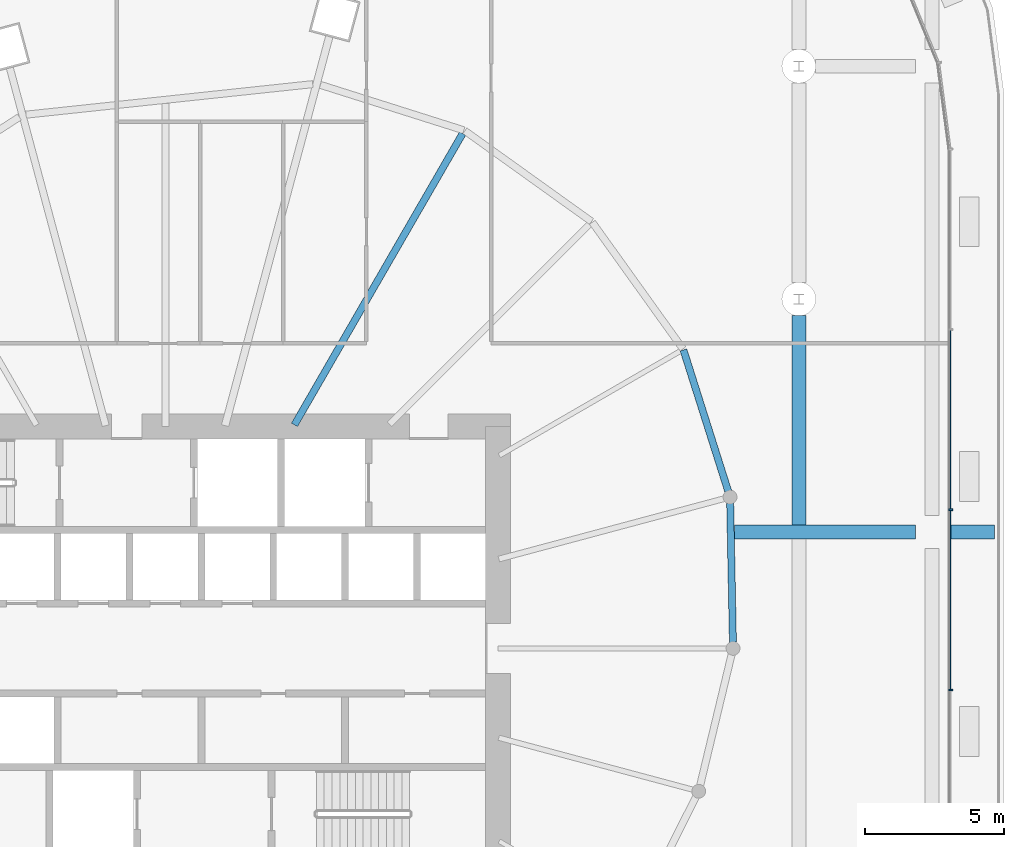
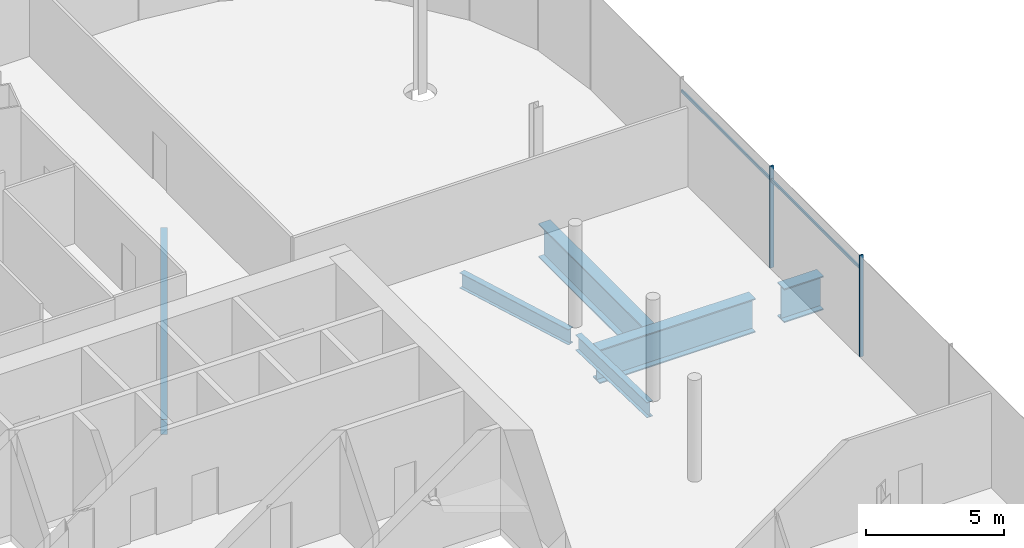
# One storey, part 27 of 56: 6 beams, 4 members, 1 element without a shape of its own.
"""IFC4 building model written with IfcOpenShell, lengths in metres."""

import ifcopenshell
import ifcopenshell.guid

model = None  # the IFC model being written
_history = None  # IfcOwnerHistory: only IFC2X3 demands one
_inside = {}  # id of a spatial element -> (the spatial element, [elements in it])
_under = {}  # id of a project, library or spatial element -> (it, [spatial elements below it])
_declared = {}  # id of a project -> (the project, [libraries it declares])
_typed = {}  # id of a type object -> (the type object, [elements of that type])
_made_of = {}  # id of a material, layer set ... -> (it, [elements and type objects made of it])


def new_model(schema):
    """Start an empty IFC model of exactly this schema.

    Asked for "IFC4X3", IfcOpenShell would pick the latest addendum, in which some entities
    have other attributes; the version numbers below select the first issue.
    IFC2X3 requires an IfcOwnerHistory on every rooted entity: one is made here for all.
    """
    global model, _history
    if schema == "IFC4X3":
        model = ifcopenshell.file(schema_version=(4, 3, 0, 0))
    else:
        model = ifcopenshell.file(schema=schema)
    _inside.clear()
    _under.clear()
    _declared.clear()
    _typed.clear()
    _made_of.clear()
    _history = None
    if model.schema == "IFC2X3":
        org = make("IfcOrganization", Name="unknown")
        user = make(
            "IfcPersonAndOrganization",
            ThePerson=make("IfcPerson", FamilyName="unknown"),
            TheOrganization=org,
        )
        app = make(
            "IfcApplication",
            ApplicationDeveloper=org,
            Version="unknown",
            ApplicationFullName="unknown",
            ApplicationIdentifier="unknown",
        )
        _history = make(
            "IfcOwnerHistory",
            OwningUser=user,
            OwningApplication=app,
            ChangeAction="ADDED",
            CreationDate=0,
        )
    return model


def make(cls, **values):
    """One entity of the class cls with the attributes given. An attribute that is None is left unset."""
    return model.create_entity(
        cls, **{name: value for name, value in values.items() if value is not None}
    )


def rooted(cls, **values):
    """An entity with a GlobalId (a new one), such as an element, a storey or a relation."""
    return make(cls, GlobalId=ifcopenshell.guid.new(), OwnerHistory=_history, **values)


def si_unit(unit_type, name, prefix=None):
    """IfcSIUnit, for example si_unit("LENGTHUNIT", "METRE", prefix="MILLI")."""
    return make("IfcSIUnit", UnitType=unit_type, Prefix=prefix, Name=name)


def assignment(units):
    """IfcUnitAssignment: the units of a project."""
    return None if units is None else make("IfcUnitAssignment", Units=units)


def point(xyz):
    """IfcCartesianPoint."""
    return None if xyz is None else make("IfcCartesianPoint", Coordinates=xyz)


def direction(xyz):
    """IfcDirection."""
    return None if xyz is None else make("IfcDirection", DirectionRatios=xyz)


def frame(location, z_axis=None, x_axis=None):
    """IfcAxis2Placement3D, a coordinate frame: its origin and axes. An axis left out is left unset."""
    return make(
        "IfcAxis2Placement3D",
        Location=point(location),
        Axis=direction(z_axis),
        RefDirection=direction(x_axis),
    )


def frame_2d(location, x_axis=None):
    """IfcAxis2Placement2D, a coordinate frame in the plane: its origin and x axis."""
    return make(
        "IfcAxis2Placement2D", Location=point(location), RefDirection=direction(x_axis)
    )


def origin():
    """The frame at (0, 0, 0) with its axes left unset."""
    return frame((0.0, 0.0, 0.0))


def origin_2d():
    """The frame at (0, 0) in the plane with its x axis left unset."""
    return frame_2d((0.0, 0.0))


def place(relative_to, where):
    """IfcLocalPlacement: puts the frame where relative to a parent placement (None: the world)."""
    return make(
        "IfcLocalPlacement", PlacementRelTo=relative_to, RelativePlacement=where
    )


def context(
    kind, dimensions, precision=None, world=None, true_north=None, identifier=None
):
    """IfcGeometricRepresentationContext, for example the 3D "Model" context."""
    return make(
        "IfcGeometricRepresentationContext",
        ContextIdentifier=identifier,
        ContextType=kind,
        CoordinateSpaceDimension=dimensions,
        Precision=precision,
        WorldCoordinateSystem=world,
        TrueNorth=true_north,
    )


def subcontext(parent, identifier, kind, view, scale=None):
    """IfcGeometricRepresentationSubContext, for example "Body" below "Model"."""
    return make(
        "IfcGeometricRepresentationSubContext",
        ContextIdentifier=identifier,
        ContextType=kind,
        ParentContext=parent,
        TargetScale=scale,
        TargetView=view,
    )


def project(units=None, contexts=None):
    """IfcProject with its units and contexts."""
    return rooted(
        "IfcProject",
        Name="project",
        RepresentationContexts=contexts,
        UnitsInContext=assignment(units),
    )


def spatial(cls, under=None, at=None, **own):
    """A site, building, storey or space (cls), placed at a placement, below another one or the project."""
    s = rooted(cls, ObjectPlacement=at, **own)
    if under is not None:
        _under.setdefault(under.id(), (under, []))[1].append(s)
    return s


def profile(cls, at=None, kind="AREA", **sizes):
    """A parametric profile (cls). Its sizes go by their IFC names, for example OverallWidth=200.0."""
    return make(cls, ProfileType=kind, Position=at, **sizes)


def rectangle(**sizes):
    """IfcRectangleProfileDef."""
    return profile("IfcRectangleProfileDef", **sizes)


def i_section(**sizes):
    """IfcIShapeProfileDef."""
    return profile("IfcIShapeProfileDef", **sizes)


def extrude(swept, where, along, depth):
    """IfcExtrudedAreaSolid: the profile swept, set in the frame where, extruded along a direction by depth."""
    return make(
        "IfcExtrudedAreaSolid",
        SweptArea=swept,
        Position=where,
        ExtrudedDirection=direction(along),
        Depth=depth,
    )


def shape(context_of_items, identifier, shape_type, items):
    """IfcShapeRepresentation: the items that make up one representation, for example the "Body"."""
    return make(
        "IfcShapeRepresentation",
        ContextOfItems=context_of_items,
        RepresentationIdentifier=identifier,
        RepresentationType=shape_type,
        Items=items,
    )


def material(Name=None, Category=None):
    """IfcMaterial."""
    return make("IfcMaterial", Name=Name, Category=Category)


def material_profile(
    of_material, cross_section, Name=None, Category=None, Priority=None
):
    """IfcMaterialProfile: a cross section and its material."""
    return make(
        "IfcMaterialProfile",
        Name=Name,
        Material=of_material,
        Profile=cross_section,
        Priority=Priority,
        Category=Category,
    )


def profile_set(profiles, Name=None, composite=None):
    """IfcMaterialProfileSet."""
    return make(
        "IfcMaterialProfileSet",
        Name=Name,
        MaterialProfiles=profiles,
        CompositeProfile=composite,
    )


def made_of(thing, what):
    """Note that an element or type object is made of a material, layer set ...; save() writes the relation."""
    if what is not None:
        _made_of.setdefault(what.id(), (what, []))[1].append(thing)
    return thing


def type_object(cls, material=None, **own):
    """A type object (cls), such as IfcWallType, which elements share."""
    return made_of(rooted(cls, **own), material)


def element(
    cls,
    number,
    at=None,
    inside=None,
    cuts=None,
    type_object=None,
    material=None,
    context=None,
    identifier="Body",
    shape_type=None,
    held_by="IfcProductDefinitionShape",
    body=None,
    shapes=None,
    **own,
):
    """One element of the class cls, such as IfcWall. Its Tag is "e" and its number.

    at: its placement. inside: the storey or other place that contains it. cuts: it is an
    opening in that element (IfcRelVoidsElement). A single representation is given by context,
    identifier, shape_type and body (its items); several are given by shapes. held_by: the class
    of the entity that holds the representations. save() writes the other relations.
    """
    e = rooted(cls, Tag="e%d" % number, ObjectPlacement=at, **own)
    if body is not None:
        shapes = [shape(context, identifier, shape_type, body)]
    if shapes is not None:
        e.Representation = make(held_by, Representations=shapes)
    if inside is not None:
        _inside.setdefault(inside.id(), (inside, []))[1].append(e)
    if cuts is not None:
        rooted(
            "IfcRelVoidsElement", RelatingBuildingElement=cuts, RelatedOpeningElement=e
        )
    if type_object is not None:
        _typed.setdefault(type_object.id(), (type_object, []))[1].append(e)
    return made_of(e, material)


def aggregate(whole, parts):
    """IfcRelAggregates: a whole, such as a stair, and the parts it consists of."""
    return rooted("IfcRelAggregates", RelatingObject=whole, RelatedObjects=parts)


def save(model, path):
    """Write the relations noted so far, then the file.

    IfcRelAggregates (storeys below a building ...), IfcRelContainedInSpatialStructure (elements
    in a storey), IfcRelDefinesByType, IfcRelAssociatesMaterial and IfcRelDeclares: one each for
    every whole, place, type object, material and project.
    """
    for whole, parts in _under.values():
        aggregate(whole, parts)
    for where, things in _inside.values():
        rooted(
            "IfcRelContainedInSpatialStructure",
            RelatedElements=things,
            RelatingStructure=where,
        )
    for kind, things in _typed.values():
        rooted("IfcRelDefinesByType", RelatedObjects=things, RelatingType=kind)
    for what, things in _made_of.values():
        rooted("IfcRelAssociatesMaterial", RelatedObjects=things, RelatingMaterial=what)
    for by, libraries in _declared.values():
        rooted("IfcRelDeclares", RelatingContext=by, RelatedDefinitions=libraries)
    model.write(path)


model = new_model("IFC4")

# Units and contexts
model_context = context("Model", 3, precision=1e-05, world=origin(), true_north=direction((0.0, 1.0)))
body_context = subcontext(model_context, "Body", "Model", "MODEL_VIEW")
ifc_project = project(units=[si_unit("LENGTHUNIT", "METRE"), si_unit("AREAUNIT", "SQUARE_METRE"), si_unit("VOLUMEUNIT", "CUBIC_METRE"), si_unit("PLANEANGLEUNIT", "RADIAN"), si_unit("MASSUNIT", "GRAM", prefix="KILO")], contexts=[model_context])

# Site, building, storey
site_placement = place(None, origin())
site = spatial("IfcSite", under=ifc_project, at=site_placement, CompositionType="ELEMENT")
building_placement = place(site_placement, origin())
building = spatial("IfcBuilding", under=site, at=building_placement, Name="Rimbun Link Towers", CompositionType="ELEMENT")
storey_placement = place(building_placement, frame((0.0, 0.0, 16.5)))
storey = spatial("IfcBuildingStorey", under=building, at=storey_placement, Name="L03", CompositionType="ELEMENT", Elevation=16.5)

# Curtain wall, members
ifc_material_1 = material(Name="Aluminium 6063-T6 and low-iron glass", Category="aluminium")
curtain_wall_type = type_object("IfcCurtainWallType", Name="CW3 podium shopfront", PredefinedType="NOTDEFINED", material=ifc_material_1)
curtain_wall_placement = place(storey_placement, origin())
curtain_wall = element("IfcCurtainWall", 1, at=curtain_wall_placement, inside=storey, type_object=curtain_wall_type, Name="CW3 L03 PD", PredefinedType="NOTDEFINED")
ifc_material_2 = material(Name="Aluminium 6063-T6", Category="aluminium")
ifc_material_profile_1 = material_profile(ifc_material_2, rectangle(XDim=0.14990234375, YDim=0.06005859375, at=origin_2d()), Name="MULLION 60X150")
ifc_profile_set_1 = profile_set([ifc_material_profile_1], Name="Aluminium 6063-T6")
member_type_1 = type_object("IfcMemberType", Name="CW3 mullion 60X150", PredefinedType="MULLION", material=ifc_profile_set_1)
member_1_placement = place(storey_placement, frame((60.074951171875, -1.5, 0.0), z_axis=(0.0, 0.0, 1.0), x_axis=(1.0, 0.0, 0.0)))
member_1 = element("IfcMember", 2, at=member_1_placement, type_object=member_type_1, Name="CW3 mullion", PredefinedType="MULLION", context=body_context, shape_type="SweptSolid", body=[
    extrude(rectangle(XDim=0.14990234375, YDim=0.06005859375, at=origin_2d()), origin(), (0.0, 0.0, 1.0), 4.5),
])
member_2_placement = place(storey_placement, frame((60.074951171875, 5.0, 0.0), z_axis=(0.0, 0.0, 1.0), x_axis=(1.0, 0.0, 0.0)))
member_2 = element("IfcMember", 3, at=member_2_placement, type_object=member_type_1, Name="CW3 mullion", PredefinedType="MULLION", context=body_context, shape_type="SweptSolid", body=[
    extrude(rectangle(XDim=0.14990234375, YDim=0.06005859375, at=origin_2d()), origin(), (0.0, 0.0, 1.0), 4.5),
])
ifc_material_3 = material(Name="Aluminium 6063-T6", Category="aluminium")
ifc_material_profile_2 = material_profile(ifc_material_3, rectangle(XDim=0.06005859375, YDim=0.1201171875, at=origin_2d()), Name="TRANSOM 60X120")
ifc_profile_set_2 = profile_set([ifc_material_profile_2], Name="Aluminium 6063-T6")
member_type_2 = type_object("IfcMemberType", Name="CW3 transom 60X120", PredefinedType="USERDEFINED", material=ifc_profile_set_2)
member_3_placement = place(storey_placement, frame((60.053955078125, 4.969970703125, 3.89990234375), z_axis=(0.0, -1.0, 0.0), x_axis=(1.0, 0.0, 0.0)))
member_3 = element("IfcMember", 4, at=member_3_placement, type_object=member_type_2, Name="CW3 transom", ObjectType="TRANSOM", PredefinedType="USERDEFINED", context=body_context, shape_type="SweptSolid", body=[
    extrude(rectangle(XDim=0.06005859375, YDim=0.1201171875, at=origin_2d()), origin(), (0.0, 0.0, 1.0), 6.43994140625),
])
member_4_placement = place(storey_placement, frame((60.053955078125, 11.469970703125, 3.89990234375), z_axis=(0.0, -1.0, 0.0), x_axis=(1.0, 0.0, 0.0)))
member_4 = element("IfcMember", 5, at=member_4_placement, type_object=member_type_2, Name="CW3 transom", ObjectType="TRANSOM", PredefinedType="USERDEFINED", context=body_context, shape_type="SweptSolid", body=[
    extrude(rectangle(XDim=0.06005859375, YDim=0.1201171875, at=origin_2d()), origin(), (0.0, 0.0, 1.0), 6.43994140625),
])
aggregate(curtain_wall, [member_1, member_2, member_3, member_4])

# Beams
ifc_material_4 = material(Name="Steel S355J2", Category="steel")
ifc_material_profile_3 = material_profile(ifc_material_4, i_section(OverallWidth=0.5, OverallDepth=1.5, WebThickness=0.030029296875, FlangeThickness=0.050048828125, at=origin_2d()), Name="PG 1500x500x30/50")
ifc_profile_set_3 = profile_set([ifc_material_profile_3], Name="Steel S355J2")
beam_type_1 = type_object("IfcBeamType", Name="PG 1500x500x30/50", PredefinedType="BEAM", material=ifc_profile_set_3)
beam_1_placement = place(storey_placement, frame((52.276123046875, 4.199951171875, -1.050048828125), z_axis=(1.0, 0.0, 0.0), x_axis=(0.0, 1.0, 0.0)))
element("IfcBeam", 6, at=beam_1_placement, inside=storey, type_object=beam_type_1, Name="Grid beam L03 +4.2", PredefinedType="BEAM", context=body_context, shape_type="SweptSolid", body=[
    extrude(i_section(OverallWidth=0.5, OverallDepth=1.5, WebThickness=0.030029296875, FlangeThickness=0.050048828125, at=origin_2d()), origin(), (0.0, 0.0, 1.0), 6.52392578125),
])
beam_2_placement = place(storey_placement, frame((60.0, 4.199951171875, -1.050048828125), z_axis=(1.0, 0.0, 0.0), x_axis=(0.0, 1.0, 0.0)))
element("IfcBeam", 7, at=beam_2_placement, inside=storey, type_object=beam_type_1, Name="Grid beam L03 +4.2", PredefinedType="BEAM", context=body_context, shape_type="SweptSolid", body=[
    extrude(i_section(OverallWidth=0.5, OverallDepth=1.5, WebThickness=0.030029296875, FlangeThickness=0.050048828125, at=origin_2d()), origin(), (0.0, 0.0, 1.0), 1.649169921875),
])
beam_3_placement = place(storey_placement, frame((54.60009765625, 4.449951171875, -1.050048828125), z_axis=(0.0, 1.0, 0.0), x_axis=(-1.0, 0.0, 0.0)))
element("IfcBeam", 8, at=beam_3_placement, inside=storey, type_object=beam_type_1, Name="Grid beam L03 +54.6", PredefinedType="BEAM", context=body_context, shape_type="SweptSolid", body=[
    extrude(i_section(OverallWidth=0.5, OverallDepth=1.5, WebThickness=0.030029296875, FlangeThickness=0.050048828125, at=origin_2d()), origin(), (0.0, 0.0, 1.0), 7.550048828125),
])
ifc_material_5 = material(Name="Steel S355J2", Category="steel")
ifc_material_profile_4 = material_profile(ifc_material_5, i_section(OverallWidth=0.253662109375, OverallDepth=0.68359375, WebThickness=0.012451171875, FlangeThickness=0.01904296875, at=origin_2d()), Name="UB 686x254x140")
ifc_profile_set_4 = profile_set([ifc_material_profile_4], Name="Steel S355J2")
beam_type_2 = type_object("IfcBeamType", Name="UB 686x254x140", PredefinedType="BEAM", material=ifc_profile_set_4)
beam_4_placement = place(storey_placement, frame((36.406005859375, 8.064208984375, -0.641845703125), z_axis=(0.499989563208, 0.866031429385, 0.0), x_axis=(-0.866031429385, 0.499989563208, 0.0)))
element("IfcBeam", 9, at=beam_4_placement, inside=storey, type_object=beam_type_2, Name="Radial beam T2 L03 01", PredefinedType="BEAM", context=body_context, shape_type="SweptSolid", body=[
    extrude(i_section(OverallWidth=0.253662109375, OverallDepth=0.68359375, WebThickness=0.012451171875, FlangeThickness=0.01904296875, at=origin_2d()), origin(), (0.0, 0.0, 1.0), 12.131591796875),
])
beam_5_placement = place(storey_placement, frame((52.22216796875, 0.220458984375, -0.641845703125), z_axis=(-0.01980243284, 0.999803912602, 0.0), x_axis=(-0.999803912602, -0.01980243284, 0.0)))
element("IfcBeam", 10, at=beam_5_placement, inside=storey, type_object=beam_type_2, Name="Edge beam T2 L03 21", PredefinedType="BEAM", context=body_context, shape_type="SweptSolid", body=[
    extrude(i_section(OverallWidth=0.253662109375, OverallDepth=0.68359375, WebThickness=0.012451171875, FlangeThickness=0.01904296875, at=origin_2d()), origin(), (0.0, 0.0, 1.0), 5.017822265625),
])
beam_6_placement = place(storey_placement, frame((52.052001953125, 5.66796875, -0.641845703125), z_axis=(-0.301891704694, 0.953342225351, 0.0), x_axis=(-0.953342225351, -0.301891704694, 0.0)))
element("IfcBeam", 11, at=beam_6_placement, inside=storey, type_object=beam_type_2, Name="Edge beam T2 L03 22", PredefinedType="BEAM", context=body_context, shape_type="SweptSolid", body=[
    extrude(i_section(OverallWidth=0.253662109375, OverallDepth=0.68359375, WebThickness=0.012451171875, FlangeThickness=0.01904296875, at=origin_2d()), origin(), (0.0, 0.0, 1.0), 5.34716796875),
])

save(model, "model.ifc")
